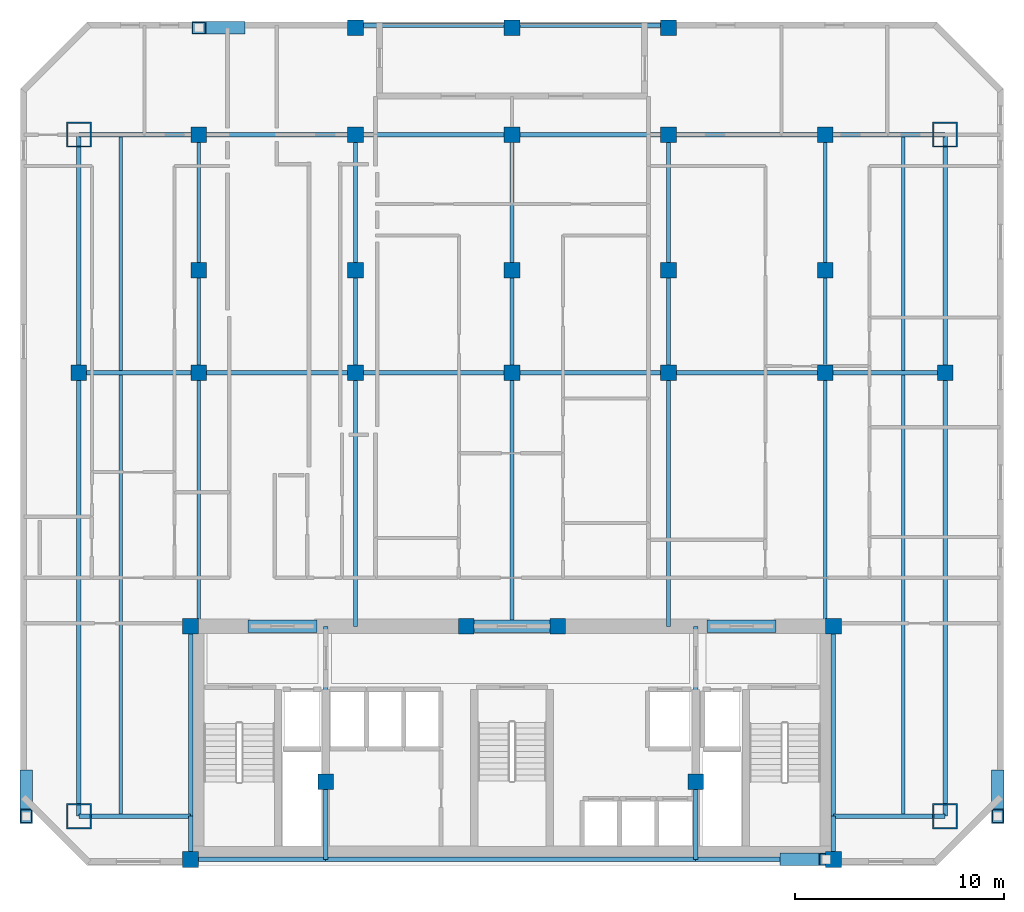
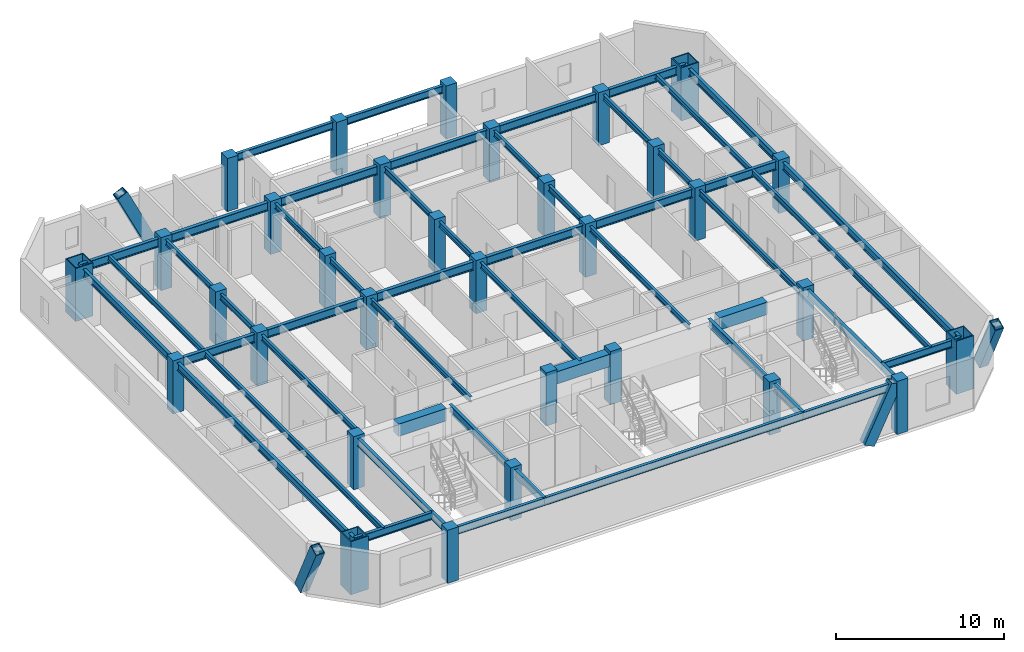
# One storey, part 1 of 8: 48 beams, 32 columns, 4 members.
"""IFC4 building model written with IfcOpenShell, lengths in metres."""

from ifc_helpers import new_model, si_unit, direction, frame, origin, origin_2d, place, context, subcontext, project, spatial, rectangle, hollow_rectangle, i_section, extrude, material, material_profile, profile_set, type_object, element, save


model = new_model("IFC4")

# Units and contexts
model_context = context("Model", 3, precision=1e-05, world=origin(), true_north=direction((0.0, 1.0)))
body_context = subcontext(model_context, "Body", "Model", "MODEL_VIEW")
ifc_project = project(units=[si_unit("LENGTHUNIT", "METRE"), si_unit("AREAUNIT", "SQUARE_METRE"), si_unit("VOLUMEUNIT", "CUBIC_METRE"), si_unit("PLANEANGLEUNIT", "RADIAN"), si_unit("MASSUNIT", "GRAM", prefix="KILO")], contexts=[model_context])

# Site, building, storey
site_placement = place(None, origin())
site = spatial("IfcSite", under=ifc_project, at=site_placement, CompositionType="ELEMENT")
building_placement = place(site_placement, origin())
building = spatial("IfcBuilding", under=site, at=building_placement, Name="Ventersveld Concourse Tower", CompositionType="ELEMENT")
storey_placement = place(building_placement, frame((0.0, 0.0, 183.699951171875)))
storey = spatial("IfcBuildingStorey", under=building, at=storey_placement, Name="L45", CompositionType="ELEMENT", Elevation=183.699951171875)

# Columns
ifc_material_1 = material(Name="Concrete C50/60", Category="concrete")
ifc_material_profile_1 = material_profile(ifc_material_1, rectangle(XDim=0.75, YDim=0.75, at=origin_2d()), Name="RC 750x750")
ifc_profile_set_1 = profile_set([ifc_material_profile_1], Name="Concrete C50/60")
column_type_1 = type_object("IfcColumnType", Name="COL-RC750", PredefinedType="COLUMN", material=ifc_profile_set_1)
for number, where, z_axis, x_axis, name in (
    (1, (13.35009765625, 0.280029296875, 0.0), (0.0, 0.0, 1.0), (1.0, 0.0, 0.0), "L45 Core Spine Column CC-SW"),
    (2, (44.14990234375, 0.280029296875, 0.0), (0.0, 0.0, 1.0), (1.0, 0.0, 0.0), "L45 Core Spine Column CC-SE"),
    (3, (13.35009765625, 11.449951171875, 0.0), (0.0, 0.0, 1.0), (1.0, 0.0, 0.0), "L45 Core Spine Column CC-NW"),
    (4, (44.14990234375, 11.449951171875, 0.0), (0.0, 0.0, 1.0), (1.0, 0.0, 0.0), "L45 Core Spine Column CC-NE"),
    (5, (19.820068359375, 4.0, 0.0), (0.0, 0.0, 1.0), (1.0, 0.0, 0.0), "L45 Core Spine Column CM-1"),
    (6, (37.550048828125, 4.0, 0.0), (0.0, 0.0, 1.0), (1.0, 0.0, 0.0), "L45 Core Spine Column CM-2"),
    (7, (26.550048828125, 11.449951171875, 0.0), (0.0, 0.0, 1.0), (1.0, 0.0, 0.0), "L45 Core Spine Column CM-3"),
    (8, (30.949951171875, 11.449951171875, 0.0), (0.0, 0.0, 1.0), (1.0, 0.0, 0.0), "L45 Core Spine Column CM-4"),
    (9, (8.0, 23.60009765625, 0.0), (0.0, 0.0, 1.0), (1.0, 0.0, 0.0), "L45 Interior Gravity Column X=8.00 Y=23.60"),
    (10, (13.75, 23.60009765625, 0.0), (0.0, 0.0, 1.0), (1.0, 0.0, 0.0), "L45 Interior Gravity Column X=13.75 Y=23.60"),
    (11, (21.25, 23.60009765625, 0.0), (0.0, 0.0, 1.0), (1.0, 0.0, 0.0), "L45 Interior Gravity Column X=21.25 Y=23.60"),
    (12, (28.75, 23.60009765625, 0.0), (0.0, 0.0, 1.0), (1.0, 0.0, 0.0), "L45 Interior Gravity Column X=28.75 Y=23.60"),
    (13, (36.25, 23.60009765625, 0.0), (0.0, 0.0, 1.0), (1.0, 0.0, 0.0), "L45 Interior Gravity Column X=36.25 Y=23.60"),
    (14, (43.75, 23.60009765625, 0.0), (0.0, 0.0, 1.0), (1.0, 0.0, 0.0), "L45 Interior Gravity Column X=43.75 Y=23.60"),
    (15, (49.5, 23.60009765625, 0.0), (0.0, 0.0, 1.0), (1.0, 0.0, 0.0), "L45 Interior Gravity Column X=49.50 Y=23.60"),
    (16, (13.75, 28.5, 0.0), (0.0, 0.0, 1.0), (1.0, 0.0, 0.0), "L45 Upper-North Gravity Column X=13.75 Y=28.50"),
    (17, (21.25, 28.5, 0.0), (0.0, 0.0, 1.0), (1.0, 0.0, 0.0), "L45 Upper-North Gravity Column X=21.25 Y=28.50"),
    (18, (28.75, 28.5, 0.0), (0.0, 0.0, 1.0), (1.0, 0.0, 0.0), "L45 Upper-North Gravity Column X=28.75 Y=28.50"),
    (19, (36.25, 28.5, 0.0), (0.0, 0.0, 1.0), (1.0, 0.0, 0.0), "L45 Upper-North Gravity Column X=36.25 Y=28.50"),
    (20, (43.75, 28.5, 0.0), (0.0, 0.0, 1.0), (1.0, 0.0, 0.0), "L45 Upper-North Gravity Column X=43.75 Y=28.50"),
    (21, (21.25, 40.1201171875, 0.0), (0.0, 0.0, 1.0), (1.0, 0.0, 0.0), "L45 North Brace Node Column X=21.25 Y=40.12"),
    (22, (28.75, 40.1201171875, 0.0), (0.0, 0.0, 1.0), (1.0, 0.0, 0.0), "L45 North Brace Node Column X=28.75 Y=40.12"),
    (23, (36.25, 40.1201171875, 0.0), (0.0, 0.0, 1.0), (1.0, 0.0, 0.0), "L45 North Brace Node Column X=36.25 Y=40.12"),
    (24, (13.75, 35.0, 0.0), (0.0, 0.0, 1.0), (1.0, 0.0, 0.0), "L45 Mid-North Column X=13.75 Y=35.00"),
    (25, (21.25, 35.0, 0.0), (0.0, 0.0, 1.0), (1.0, 0.0, 0.0), "L45 Mid-North Column X=21.25 Y=35.00"),
    (26, (28.75, 35.0, 0.0), (0.0, 0.0, 1.0), (1.0, 0.0, 0.0), "L45 Mid-North Column X=28.75 Y=35.00"),
    (27, (36.25, 35.0, 0.0), (0.0, 0.0, 1.0), (1.0, 0.0, 0.0), "L45 Mid-North Column X=36.25 Y=35.00"),
    (28, (43.75, 35.0, 0.0), (0.0, 0.0, 1.0), (1.0, 0.0, 0.0), "L45 Mid-North Column X=43.75 Y=35.00"),
):
    element("IfcColumn", number, at=place(storey_placement, frame(where, z_axis=z_axis, x_axis=x_axis)), inside=storey, type_object=column_type_1, Name=name, PredefinedType="COLUMN", context=body_context, shape_type="SweptSolid", body=[
        extrude(rectangle(XDim=0.75, YDim=0.75, at=origin_2d()), origin(), (0.0, 0.0, 1.0), 3.85009765625),
    ])
ifc_material_2 = material(Name="Structural steel S460ML", Category="steel")
ifc_material_profile_2 = material_profile(ifc_material_2, hollow_rectangle(XDim=1.199951171875, YDim=1.199951171875, WallThickness=0.070068359375, at=origin_2d()), Name="BOX 1200x1200x70")
ifc_profile_set_2 = profile_set([ifc_material_profile_2], Name="Structural steel S460ML")
column_type_2 = type_object("IfcColumnType", Name="MC-1200", PredefinedType="USERDEFINED", material=ifc_profile_set_2)
for number, where, z_axis, x_axis, name in (
    (29, (8.0, 2.35009765625, 0.0), (0.0, 0.0, 1.0), (1.0, 0.0, 0.0), "L45 Corner Mega-Column MC-SW"),
    (30, (49.5, 2.35009765625, 0.0), (0.0, 0.0, 1.0), (1.0, 0.0, 0.0), "L45 Corner Mega-Column MC-SE"),
    (31, (49.5, 35.0, 0.0), (0.0, 0.0, 1.0), (1.0, 0.0, 0.0), "L45 Corner Mega-Column MC-NE"),
    (32, (8.0, 35.0, 0.0), (0.0, 0.0, 1.0), (1.0, 0.0, 0.0), "L45 Corner Mega-Column MC-NW"),
):
    element("IfcColumn", number, at=place(storey_placement, frame(where, z_axis=z_axis, x_axis=x_axis)), inside=storey, type_object=column_type_2, Name=name, ObjectType="MEGA_COLUMN", PredefinedType="USERDEFINED", context=body_context, shape_type="SweptSolid", body=[
        extrude(hollow_rectangle(XDim=1.199951171875, YDim=1.199951171875, WallThickness=0.070068359375, at=origin_2d()), origin(), (0.0, 0.0, 1.0), 3.85009765625),
    ])

# Beams
ifc_material_3 = material(Name="Structural steel S355J2", Category="steel")
ifc_material_profile_3 = material_profile(ifc_material_3, i_section(OverallWidth=0.177978515625, OverallDepth=0.406494140625, WebThickness=0.0078125, FlangeThickness=0.0126953125, FilletRadius=0.01025390625, at=origin_2d()), Name="UB 406x178x60")
ifc_profile_set_3 = profile_set([ifc_material_profile_3], Name="Structural steel S355J2")
beam_type_1 = type_object("IfcBeamType", Name="BM-UB406", PredefinedType="BEAM", material=ifc_profile_set_3)
beam_1_placement = place(storey_placement, frame((10.0, 2.35009765625, 3.4267578125), z_axis=(0.0, 1.0, 0.0), x_axis=(-1.0, 0.0, 0.0)))
element("IfcBeam", 33, at=beam_1_placement, inside=storey, type_object=beam_type_1, Name="L45 N-S Composite Floor Beam South X=10.00", PredefinedType="BEAM", context=body_context, shape_type="SweptSolid", body=[
    extrude(i_section(OverallWidth=0.177978515625, OverallDepth=0.406494140625, WebThickness=0.0078125, FlangeThickness=0.0126953125, FilletRadius=0.01025390625, at=origin_2d()), origin(), (0.0, 0.0, 1.0), 21.15478515625),
])
beam_2_placement = place(storey_placement, frame((10.0, 23.695068359375, 3.4267578125), z_axis=(0.0, 1.0, 0.0), x_axis=(-1.0, 0.0, 0.0)))
element("IfcBeam", 34, at=beam_2_placement, inside=storey, type_object=beam_type_1, Name="L45 N-S Composite Floor Beam Mid X=10.00", PredefinedType="BEAM", context=body_context, shape_type="SweptSolid", body=[
    extrude(i_section(OverallWidth=0.177978515625, OverallDepth=0.406494140625, WebThickness=0.0078125, FlangeThickness=0.0126953125, FilletRadius=0.01025390625, at=origin_2d()), origin(), (0.0, 0.0, 1.0), 11.304931640625),
])
beam_3_placement = place(storey_placement, frame((13.75, 11.449951171875, 3.4267578125), z_axis=(0.0, 1.0, 0.0), x_axis=(-1.0, 0.0, 0.0)))
element("IfcBeam", 35, at=beam_3_placement, inside=storey, type_object=beam_type_1, Name="L45 N-S Composite Floor Beam South X=13.75", PredefinedType="BEAM", context=body_context, shape_type="SweptSolid", body=[
    extrude(i_section(OverallWidth=0.177978515625, OverallDepth=0.406494140625, WebThickness=0.0078125, FlangeThickness=0.0126953125, FilletRadius=0.01025390625, at=origin_2d()), origin(), (0.0, 0.0, 1.0), 12.150146484375),
])
beam_4_placement = place(storey_placement, frame((13.75, 23.60009765625, 3.4267578125), z_axis=(0.0, 1.0, 0.0), x_axis=(-1.0, 0.0, 0.0)))
element("IfcBeam", 36, at=beam_4_placement, inside=storey, type_object=beam_type_1, Name="L45 N-S Composite Floor Beam Mid X=13.75", PredefinedType="BEAM", context=body_context, shape_type="SweptSolid", body=[
    extrude(i_section(OverallWidth=0.177978515625, OverallDepth=0.406494140625, WebThickness=0.0078125, FlangeThickness=0.0126953125, FilletRadius=0.01025390625, at=origin_2d()), origin(), (0.0, 0.0, 1.0), 11.39990234375),
])
beam_5_placement = place(storey_placement, frame((21.25, 11.449951171875, 3.4267578125), z_axis=(0.0, 1.0, 0.0), x_axis=(-1.0, 0.0, 0.0)))
element("IfcBeam", 37, at=beam_5_placement, inside=storey, type_object=beam_type_1, Name="L45 N-S Composite Floor Beam South X=21.25", PredefinedType="BEAM", context=body_context, shape_type="SweptSolid", body=[
    extrude(i_section(OverallWidth=0.177978515625, OverallDepth=0.406494140625, WebThickness=0.0078125, FlangeThickness=0.0126953125, FilletRadius=0.01025390625, at=origin_2d()), origin(), (0.0, 0.0, 1.0), 12.150146484375),
])
beam_6_placement = place(storey_placement, frame((21.25, 23.60009765625, 3.4267578125), z_axis=(0.0, 1.0, 0.0), x_axis=(-1.0, 0.0, 0.0)))
element("IfcBeam", 38, at=beam_6_placement, inside=storey, type_object=beam_type_1, Name="L45 N-S Composite Floor Beam Mid X=21.25", PredefinedType="BEAM", context=body_context, shape_type="SweptSolid", body=[
    extrude(i_section(OverallWidth=0.177978515625, OverallDepth=0.406494140625, WebThickness=0.0078125, FlangeThickness=0.0126953125, FilletRadius=0.01025390625, at=origin_2d()), origin(), (0.0, 0.0, 1.0), 11.39990234375),
])
beam_7_placement = place(storey_placement, frame((28.75, 11.449951171875, 3.4267578125), z_axis=(0.0, 1.0, 0.0), x_axis=(-1.0, 0.0, 0.0)))
element("IfcBeam", 39, at=beam_7_placement, inside=storey, type_object=beam_type_1, Name="L45 N-S Composite Floor Beam South X=28.75", PredefinedType="BEAM", context=body_context, shape_type="SweptSolid", body=[
    extrude(i_section(OverallWidth=0.177978515625, OverallDepth=0.406494140625, WebThickness=0.0078125, FlangeThickness=0.0126953125, FilletRadius=0.01025390625, at=origin_2d()), origin(), (0.0, 0.0, 1.0), 12.150146484375),
])
beam_8_placement = place(storey_placement, frame((28.75, 23.60009765625, 3.4267578125), z_axis=(0.0, 1.0, 0.0), x_axis=(-1.0, 0.0, 0.0)))
element("IfcBeam", 40, at=beam_8_placement, inside=storey, type_object=beam_type_1, Name="L45 N-S Composite Floor Beam Mid X=28.75", PredefinedType="BEAM", context=body_context, shape_type="SweptSolid", body=[
    extrude(i_section(OverallWidth=0.177978515625, OverallDepth=0.406494140625, WebThickness=0.0078125, FlangeThickness=0.0126953125, FilletRadius=0.01025390625, at=origin_2d()), origin(), (0.0, 0.0, 1.0), 11.39990234375),
])
beam_9_placement = place(storey_placement, frame((36.25, 11.449951171875, 3.4267578125), z_axis=(0.0, 1.0, 0.0), x_axis=(-1.0, 0.0, 0.0)))
element("IfcBeam", 41, at=beam_9_placement, inside=storey, type_object=beam_type_1, Name="L45 N-S Composite Floor Beam South X=36.25", PredefinedType="BEAM", context=body_context, shape_type="SweptSolid", body=[
    extrude(i_section(OverallWidth=0.177978515625, OverallDepth=0.406494140625, WebThickness=0.0078125, FlangeThickness=0.0126953125, FilletRadius=0.01025390625, at=origin_2d()), origin(), (0.0, 0.0, 1.0), 12.150146484375),
])
beam_10_placement = place(storey_placement, frame((36.25, 23.60009765625, 3.4267578125), z_axis=(0.0, 1.0, 0.0), x_axis=(-1.0, 0.0, 0.0)))
element("IfcBeam", 42, at=beam_10_placement, inside=storey, type_object=beam_type_1, Name="L45 N-S Composite Floor Beam Mid X=36.25", PredefinedType="BEAM", context=body_context, shape_type="SweptSolid", body=[
    extrude(i_section(OverallWidth=0.177978515625, OverallDepth=0.406494140625, WebThickness=0.0078125, FlangeThickness=0.0126953125, FilletRadius=0.01025390625, at=origin_2d()), origin(), (0.0, 0.0, 1.0), 11.39990234375),
])
beam_11_placement = place(storey_placement, frame((43.75, 11.449951171875, 3.4267578125), z_axis=(0.0, 1.0, 0.0), x_axis=(-1.0, 0.0, 0.0)))
element("IfcBeam", 43, at=beam_11_placement, inside=storey, type_object=beam_type_1, Name="L45 N-S Composite Floor Beam South X=43.75", PredefinedType="BEAM", context=body_context, shape_type="SweptSolid", body=[
    extrude(i_section(OverallWidth=0.177978515625, OverallDepth=0.406494140625, WebThickness=0.0078125, FlangeThickness=0.0126953125, FilletRadius=0.01025390625, at=origin_2d()), origin(), (0.0, 0.0, 1.0), 12.150146484375),
])
beam_12_placement = place(storey_placement, frame((43.75, 23.60009765625, 3.4267578125), z_axis=(0.0, 1.0, 0.0), x_axis=(-1.0, 0.0, 0.0)))
element("IfcBeam", 44, at=beam_12_placement, inside=storey, type_object=beam_type_1, Name="L45 N-S Composite Floor Beam Mid X=43.75", PredefinedType="BEAM", context=body_context, shape_type="SweptSolid", body=[
    extrude(i_section(OverallWidth=0.177978515625, OverallDepth=0.406494140625, WebThickness=0.0078125, FlangeThickness=0.0126953125, FilletRadius=0.01025390625, at=origin_2d()), origin(), (0.0, 0.0, 1.0), 11.39990234375),
])
beam_13_placement = place(storey_placement, frame((47.5, 2.35009765625, 3.4267578125), z_axis=(0.0, 1.0, 0.0), x_axis=(-1.0, 0.0, 0.0)))
element("IfcBeam", 45, at=beam_13_placement, inside=storey, type_object=beam_type_1, Name="L45 N-S Composite Floor Beam South X=47.50", PredefinedType="BEAM", context=body_context, shape_type="SweptSolid", body=[
    extrude(i_section(OverallWidth=0.177978515625, OverallDepth=0.406494140625, WebThickness=0.0078125, FlangeThickness=0.0126953125, FilletRadius=0.01025390625, at=origin_2d()), origin(), (0.0, 0.0, 1.0), 21.15478515625),
])
beam_14_placement = place(storey_placement, frame((47.5, 23.695068359375, 3.4267578125), z_axis=(0.0, 1.0, 0.0), x_axis=(-1.0, 0.0, 0.0)))
element("IfcBeam", 46, at=beam_14_placement, inside=storey, type_object=beam_type_1, Name="L45 N-S Composite Floor Beam Mid X=47.50", PredefinedType="BEAM", context=body_context, shape_type="SweptSolid", body=[
    extrude(i_section(OverallWidth=0.177978515625, OverallDepth=0.406494140625, WebThickness=0.0078125, FlangeThickness=0.0126953125, FilletRadius=0.01025390625, at=origin_2d()), origin(), (0.0, 0.0, 1.0), 11.304931640625),
])
ifc_material_4 = material(Name="Concrete C60/75", Category="concrete")
ifc_material_profile_4 = material_profile(ifc_material_4, rectangle(XDim=0.60009765625, YDim=0.89990234375, at=origin_2d()), Name="RC 600x900")
ifc_profile_set_4 = profile_set([ifc_material_profile_4], Name="Concrete C60/75")
beam_type_2 = type_object("IfcBeamType", Name="CB-RC600x900L", PredefinedType="LINTEL", material=ifc_profile_set_4)
beam_15_placement = place(storey_placement, frame((16.10009765625, 11.449951171875, 3.179931640625), z_axis=(1.0, 0.0, 0.0), x_axis=(0.0, 1.0, 0.0)))
element("IfcBeam", 47, at=beam_15_placement, inside=storey, type_object=beam_type_2, Name="L45 Core Coupling Lintel Beam 1", PredefinedType="LINTEL", context=body_context, shape_type="SweptSolid", body=[
    extrude(rectangle(XDim=0.60009765625, YDim=0.89990234375, at=origin_2d()), origin(), (0.0, 0.0, 1.0), 3.2998046875),
])
beam_16_placement = place(storey_placement, frame((26.5, 11.449951171875, 3.179931640625), z_axis=(1.0, 0.0, 0.0), x_axis=(0.0, 1.0, 0.0)))
element("IfcBeam", 48, at=beam_16_placement, inside=storey, type_object=beam_type_2, Name="L45 Core Coupling Lintel Beam 2", PredefinedType="LINTEL", context=body_context, shape_type="SweptSolid", body=[
    extrude(rectangle(XDim=0.60009765625, YDim=0.89990234375, at=origin_2d()), origin(), (0.0, 0.0, 1.0), 4.5),
])
beam_17_placement = place(storey_placement, frame((38.10009765625, 11.449951171875, 3.179931640625), z_axis=(1.0, 0.0, 0.0), x_axis=(0.0, 1.0, 0.0)))
element("IfcBeam", 49, at=beam_17_placement, inside=storey, type_object=beam_type_2, Name="L45 Core Coupling Lintel Beam 3", PredefinedType="LINTEL", context=body_context, shape_type="SweptSolid", body=[
    extrude(rectangle(XDim=0.60009765625, YDim=0.89990234375, at=origin_2d()), origin(), (0.0, 0.0, 1.0), 3.2998046875),
])
ifc_material_profile_5 = material_profile(ifc_material_3, i_section(OverallWidth=0.2119140625, OverallDepth=0.54443359375, WebThickness=0.0126953125, FlangeThickness=0.021240234375, FilletRadius=0.0126953125, at=origin_2d()), Name="UB 533x210x122")
ifc_profile_set_5 = profile_set([ifc_material_profile_5], Name="Structural steel S355J2")
beam_type_3 = type_object("IfcBeamType", Name="GRD-UB533H", PredefinedType="T_BEAM", material=ifc_profile_set_5)
beam_18_placement = place(storey_placement, frame((13.35009765625, 0.280029296875, 3.357666015625), z_axis=(0.0, 1.0, 0.0), x_axis=(-1.0, 0.0, 0.0)))
element("IfcBeam", 50, at=beam_18_placement, inside=storey, type_object=beam_type_3, Name="L45 Core West Tie Beam S", PredefinedType="T_BEAM", context=body_context, shape_type="SweptSolid", body=[
    extrude(i_section(OverallWidth=0.2119140625, OverallDepth=0.54443359375, WebThickness=0.0126953125, FlangeThickness=0.021240234375, FilletRadius=0.0126953125, at=origin_2d()), origin(), (0.0, 0.0, 1.0), 2.070068359375),
])
beam_19_placement = place(storey_placement, frame((13.35009765625, 2.35009765625, 3.357666015625), z_axis=(0.0, 1.0, 0.0), x_axis=(-1.0, 0.0, 0.0)))
element("IfcBeam", 51, at=beam_19_placement, inside=storey, type_object=beam_type_3, Name="L45 Core West Tie Beam N", PredefinedType="T_BEAM", context=body_context, shape_type="SweptSolid", body=[
    extrude(i_section(OverallWidth=0.2119140625, OverallDepth=0.54443359375, WebThickness=0.0126953125, FlangeThickness=0.021240234375, FilletRadius=0.0126953125, at=origin_2d()), origin(), (0.0, 0.0, 1.0), 9.099853515625),
])
beam_20_placement = place(storey_placement, frame((44.14990234375, 0.280029296875, 3.357666015625), z_axis=(0.0, 1.0, 0.0), x_axis=(-1.0, 0.0, 0.0)))
element("IfcBeam", 52, at=beam_20_placement, inside=storey, type_object=beam_type_3, Name="L45 Core East Tie Beam S", PredefinedType="T_BEAM", context=body_context, shape_type="SweptSolid", body=[
    extrude(i_section(OverallWidth=0.2119140625, OverallDepth=0.54443359375, WebThickness=0.0126953125, FlangeThickness=0.021240234375, FilletRadius=0.0126953125, at=origin_2d()), origin(), (0.0, 0.0, 1.0), 2.070068359375),
])
beam_21_placement = place(storey_placement, frame((44.14990234375, 2.35009765625, 3.357666015625), z_axis=(0.0, 1.0, 0.0), x_axis=(-1.0, 0.0, 0.0)))
element("IfcBeam", 53, at=beam_21_placement, inside=storey, type_object=beam_type_3, Name="L45 Core East Tie Beam N", PredefinedType="T_BEAM", context=body_context, shape_type="SweptSolid", body=[
    extrude(i_section(OverallWidth=0.2119140625, OverallDepth=0.54443359375, WebThickness=0.0126953125, FlangeThickness=0.021240234375, FilletRadius=0.0126953125, at=origin_2d()), origin(), (0.0, 0.0, 1.0), 9.099853515625),
])
beam_22_placement = place(storey_placement, frame((13.35009765625, 0.280029296875, 3.357666015625), z_axis=(1.0, 0.0, 0.0), x_axis=(0.0, 1.0, 0.0)))
element("IfcBeam", 54, at=beam_22_placement, inside=storey, type_object=beam_type_3, Name="L45 Core South Tie Beam W", PredefinedType="T_BEAM", context=body_context, shape_type="SweptSolid", body=[
    extrude(i_section(OverallWidth=0.2119140625, OverallDepth=0.54443359375, WebThickness=0.0126953125, FlangeThickness=0.021240234375, FilletRadius=0.0126953125, at=origin_2d()), origin(), (0.0, 0.0, 1.0), 6.469970703125),
])
beam_23_placement = place(storey_placement, frame((19.820068359375, 0.280029296875, 3.357666015625), z_axis=(1.0, 0.0, 0.0), x_axis=(0.0, 1.0, 0.0)))
element("IfcBeam", 55, at=beam_23_placement, inside=storey, type_object=beam_type_3, Name="L45 Core South Tie Beam C", PredefinedType="T_BEAM", context=body_context, shape_type="SweptSolid", body=[
    extrude(i_section(OverallWidth=0.2119140625, OverallDepth=0.54443359375, WebThickness=0.0126953125, FlangeThickness=0.021240234375, FilletRadius=0.0126953125, at=origin_2d()), origin(), (0.0, 0.0, 1.0), 17.72998046875),
])
beam_24_placement = place(storey_placement, frame((37.550048828125, 0.280029296875, 3.357666015625), z_axis=(1.0, 0.0, 0.0), x_axis=(0.0, 1.0, 0.0)))
element("IfcBeam", 56, at=beam_24_placement, inside=storey, type_object=beam_type_3, Name="L45 Core South Tie Beam E", PredefinedType="T_BEAM", context=body_context, shape_type="SweptSolid", body=[
    extrude(i_section(OverallWidth=0.2119140625, OverallDepth=0.54443359375, WebThickness=0.0126953125, FlangeThickness=0.021240234375, FilletRadius=0.0126953125, at=origin_2d()), origin(), (0.0, 0.0, 1.0), 6.599853515625),
])
beam_25_placement = place(storey_placement, frame((19.820068359375, 0.280029296875, 3.357666015625), z_axis=(0.0, 1.0, 0.0), x_axis=(-1.0, 0.0, 0.0)))
element("IfcBeam", 57, at=beam_25_placement, inside=storey, type_object=beam_type_3, Name="L45 Core Spine N-S Tie Beam W1", PredefinedType="T_BEAM", context=body_context, shape_type="SweptSolid", body=[
    extrude(i_section(OverallWidth=0.2119140625, OverallDepth=0.54443359375, WebThickness=0.0126953125, FlangeThickness=0.021240234375, FilletRadius=0.0126953125, at=origin_2d()), origin(), (0.0, 0.0, 1.0), 3.719970703125),
])
beam_26_placement = place(storey_placement, frame((19.820068359375, 4.0, 3.357666015625), z_axis=(0.0, 1.0, 0.0), x_axis=(-1.0, 0.0, 0.0)))
element("IfcBeam", 58, at=beam_26_placement, inside=storey, type_object=beam_type_3, Name="L45 Core Spine N-S Tie Beam W2", PredefinedType="T_BEAM", context=body_context, shape_type="SweptSolid", body=[
    extrude(i_section(OverallWidth=0.2119140625, OverallDepth=0.54443359375, WebThickness=0.0126953125, FlangeThickness=0.021240234375, FilletRadius=0.0126953125, at=origin_2d()), origin(), (0.0, 0.0, 1.0), 7.449951171875),
])
beam_27_placement = place(storey_placement, frame((37.550048828125, 0.280029296875, 3.357666015625), z_axis=(0.0, 1.0, 0.0), x_axis=(-1.0, 0.0, 0.0)))
element("IfcBeam", 59, at=beam_27_placement, inside=storey, type_object=beam_type_3, Name="L45 Core Spine N-S Tie Beam E1", PredefinedType="T_BEAM", context=body_context, shape_type="SweptSolid", body=[
    extrude(i_section(OverallWidth=0.2119140625, OverallDepth=0.54443359375, WebThickness=0.0126953125, FlangeThickness=0.021240234375, FilletRadius=0.0126953125, at=origin_2d()), origin(), (0.0, 0.0, 1.0), 3.719970703125),
])
beam_28_placement = place(storey_placement, frame((37.550048828125, 4.0, 3.357666015625), z_axis=(0.0, 1.0, 0.0), x_axis=(-1.0, 0.0, 0.0)))
element("IfcBeam", 60, at=beam_28_placement, inside=storey, type_object=beam_type_3, Name="L45 Core Spine N-S Tie Beam E2", PredefinedType="T_BEAM", context=body_context, shape_type="SweptSolid", body=[
    extrude(i_section(OverallWidth=0.2119140625, OverallDepth=0.54443359375, WebThickness=0.0126953125, FlangeThickness=0.021240234375, FilletRadius=0.0126953125, at=origin_2d()), origin(), (0.0, 0.0, 1.0), 7.449951171875),
])
ifc_material_profile_6 = material_profile(ifc_material_3, i_section(OverallWidth=0.230224609375, OverallDepth=0.6171875, WebThickness=0.01318359375, FlangeThickness=0.022216796875, FilletRadius=0.0126953125, at=origin_2d()), Name="UB 610x229x140")
ifc_profile_set_6 = profile_set([ifc_material_profile_6], Name="Structural steel S355J2")
beam_type_4 = type_object("IfcBeamType", Name="GRD-UB610", PredefinedType="USERDEFINED", material=ifc_profile_set_6)
beam_29_placement = place(storey_placement, frame((8.0, 23.60009765625, 3.321533203125), z_axis=(1.0, 0.0, 0.0), x_axis=(0.0, 1.0, 0.0)))
element("IfcBeam", 61, at=beam_29_placement, inside=storey, type_object=beam_type_4, Name="L45 Primary E-W Grid Girder Y=23.60 #1", ObjectType="GIRDER", PredefinedType="USERDEFINED", context=body_context, shape_type="SweptSolid", body=[
    extrude(i_section(OverallWidth=0.230224609375, OverallDepth=0.6171875, WebThickness=0.01318359375, FlangeThickness=0.022216796875, FilletRadius=0.0126953125, at=origin_2d()), origin(), (0.0, 0.0, 1.0), 5.75),
])
for number, where, z_axis, x_axis, name in (
    (62, (13.75, 23.60009765625, 3.321533203125), (1.0, 0.0, 0.0), (0.0, 1.0, 0.0), "L45 Primary E-W Grid Girder Y=23.60 #2"),
    (63, (21.25, 23.60009765625, 3.321533203125), (1.0, 0.0, 0.0), (0.0, 1.0, 0.0), "L45 Primary E-W Grid Girder Y=23.60 #3"),
    (64, (28.75, 23.60009765625, 3.321533203125), (1.0, 0.0, 0.0), (0.0, 1.0, 0.0), "L45 Primary E-W Grid Girder Y=23.60 #4"),
    (65, (36.25, 23.60009765625, 3.321533203125), (1.0, 0.0, 0.0), (0.0, 1.0, 0.0), "L45 Primary E-W Grid Girder Y=23.60 #5"),
):
    element("IfcBeam", number, at=place(storey_placement, frame(where, z_axis=z_axis, x_axis=x_axis)), inside=storey, type_object=beam_type_4, Name=name, ObjectType="GIRDER", PredefinedType="USERDEFINED", context=body_context, shape_type="SweptSolid", body=[
        extrude(i_section(OverallWidth=0.230224609375, OverallDepth=0.6171875, WebThickness=0.01318359375, FlangeThickness=0.022216796875, FilletRadius=0.0126953125, at=origin_2d()), origin(), (0.0, 0.0, 1.0), 7.5),
    ])
for number, where, z_axis, x_axis, name in (
    (66, (43.75, 23.60009765625, 3.321533203125), (1.0, 0.0, 0.0), (0.0, 1.0, 0.0), "L45 Primary E-W Grid Girder Y=23.60 #6"),
    (67, (8.0, 35.0, 3.321533203125), (1.0, 0.0, 0.0), (0.0, 1.0, 0.0), "L45 E-W Grid Girder Y=35.00 #1"),
):
    element("IfcBeam", number, at=place(storey_placement, frame(where, z_axis=z_axis, x_axis=x_axis)), inside=storey, type_object=beam_type_4, Name=name, ObjectType="GIRDER", PredefinedType="USERDEFINED", context=body_context, shape_type="SweptSolid", body=[
        extrude(i_section(OverallWidth=0.230224609375, OverallDepth=0.6171875, WebThickness=0.01318359375, FlangeThickness=0.022216796875, FilletRadius=0.0126953125, at=origin_2d()), origin(), (0.0, 0.0, 1.0), 5.75),
    ])
for number, where, z_axis, x_axis, name in (
    (68, (13.75, 35.0, 3.321533203125), (1.0, 0.0, 0.0), (0.0, 1.0, 0.0), "L45 E-W Grid Girder Y=35.00 #2"),
    (69, (21.25, 35.0, 3.321533203125), (1.0, 0.0, 0.0), (0.0, 1.0, 0.0), "L45 E-W Grid Girder Y=35.00 #3"),
    (70, (28.75, 35.0, 3.321533203125), (1.0, 0.0, 0.0), (0.0, 1.0, 0.0), "L45 E-W Grid Girder Y=35.00 #4"),
    (71, (36.25, 35.0, 3.321533203125), (1.0, 0.0, 0.0), (0.0, 1.0, 0.0), "L45 E-W Grid Girder Y=35.00 #5"),
):
    element("IfcBeam", number, at=place(storey_placement, frame(where, z_axis=z_axis, x_axis=x_axis)), inside=storey, type_object=beam_type_4, Name=name, ObjectType="GIRDER", PredefinedType="USERDEFINED", context=body_context, shape_type="SweptSolid", body=[
        extrude(i_section(OverallWidth=0.230224609375, OverallDepth=0.6171875, WebThickness=0.01318359375, FlangeThickness=0.022216796875, FilletRadius=0.0126953125, at=origin_2d()), origin(), (0.0, 0.0, 1.0), 7.5),
    ])
beam_30_placement = place(storey_placement, frame((43.75, 35.0, 3.321533203125), z_axis=(1.0, 0.0, 0.0), x_axis=(0.0, 1.0, 0.0)))
element("IfcBeam", 72, at=beam_30_placement, inside=storey, type_object=beam_type_4, Name="L45 E-W Grid Girder Y=35.00 #6", ObjectType="GIRDER", PredefinedType="USERDEFINED", context=body_context, shape_type="SweptSolid", body=[
    extrude(i_section(OverallWidth=0.230224609375, OverallDepth=0.6171875, WebThickness=0.01318359375, FlangeThickness=0.022216796875, FilletRadius=0.0126953125, at=origin_2d()), origin(), (0.0, 0.0, 1.0), 5.75),
])

# Members
ifc_material_5 = material(Name="Structural steel S355ML", Category="steel")
ifc_material_profile_7 = material_profile(ifc_material_5, hollow_rectangle(XDim=0.60009765625, YDim=0.75, WallThickness=0.0400390625, at=origin_2d()), Name="BOX 750x600x40")
ifc_profile_set_7 = profile_set([ifc_material_profile_7], Name="Structural steel S355ML")
member_type = type_object("IfcMemberType", Name="MB-750x600", PredefinedType="BRACE", material=ifc_profile_set_7)
for number, where, z_axis, x_axis, name in (
    (73, (15.625, 40.1201171875, -0.219970703125), (-0.437839464193, 0.0, 0.899053170616), (0.0, -1.0, 0.0), "L45 Exterior Mega-Brace N (Module M10)"),
    (74, (41.925048828125, 0.280029296875, -0.219970703125), (0.437839464193, 0.0, 0.899053170616), (0.0, 1.0, 0.0), "L45 Exterior Mega-Brace S (Module M10)"),
    (75, (5.47998046875, 4.22509765625, -0.219970703125), (0.0, -0.437839464193, 0.899053170616), (1.0, 0.0, 0.0), "L45 Exterior Mega-Brace W (Module M10)"),
    (76, (52.02001953125, 4.22509765625, -0.219970703125), (0.0, -0.437839464193, 0.899053170616), (1.0, 0.0, 0.0), "L45 Exterior Mega-Brace E (Module M10)"),
):
    element("IfcMember", number, at=place(storey_placement, frame(where, z_axis=z_axis, x_axis=x_axis)), inside=storey, type_object=member_type, Name=name, PredefinedType="BRACE", context=body_context, shape_type="SweptSolid", body=[
        extrude(hollow_rectangle(XDim=0.60009765625, YDim=0.75, WallThickness=0.0400390625, at=origin_2d()), origin(), (0.0, 0.0, 1.0), 4.282470703125),
    ])

# Beams
ifc_material_profile_8 = material_profile(ifc_material_3, i_section(OverallWidth=0.2119140625, OverallDepth=0.54443359375, WebThickness=0.0126953125, FlangeThickness=0.021240234375, FilletRadius=0.0126953125, at=origin_2d()), Name="UB 533x210x122")
ifc_profile_set_8 = profile_set([ifc_material_profile_8], Name="Structural steel S355J2")
beam_type_5 = type_object("IfcBeamType", Name="SPD-UB533", PredefinedType="SPANDREL", material=ifc_profile_set_8)
for number, where, z_axis, x_axis, name in (
    (77, (8.0, 2.35009765625, 3.357666015625), (1.0, 0.0, 0.0), (0.0, 1.0, 0.0), "L45 SW Spandrel Beam"),
    (78, (44.14990234375, 2.35009765625, 3.357666015625), (1.0, 0.0, 0.0), (0.0, 1.0, 0.0), "L45 SE Spandrel Beam"),
):
    element("IfcBeam", number, at=place(storey_placement, frame(where, z_axis=z_axis, x_axis=x_axis)), inside=storey, type_object=beam_type_5, Name=name, PredefinedType="SPANDREL", context=body_context, shape_type="SweptSolid", body=[
        extrude(i_section(OverallWidth=0.2119140625, OverallDepth=0.54443359375, WebThickness=0.0126953125, FlangeThickness=0.021240234375, FilletRadius=0.0126953125, at=origin_2d()), origin(), (0.0, 0.0, 1.0), 5.35009765625),
    ])
beam_31_placement = place(storey_placement, frame((8.0, 2.35009765625, 3.357666015625), z_axis=(0.0, 1.0, 0.0), x_axis=(-1.0, 0.0, 0.0)))
element("IfcBeam", 79, at=beam_31_placement, inside=storey, type_object=beam_type_5, Name="L45 West Spandrel Beam S", PredefinedType="SPANDREL", context=body_context, shape_type="SweptSolid", body=[
    extrude(i_section(OverallWidth=0.2119140625, OverallDepth=0.54443359375, WebThickness=0.0126953125, FlangeThickness=0.021240234375, FilletRadius=0.0126953125, at=origin_2d()), origin(), (0.0, 0.0, 1.0), 21.25),
])
beam_32_placement = place(storey_placement, frame((8.0, 23.60009765625, 3.357666015625), z_axis=(0.0, 1.0, 0.0), x_axis=(-1.0, 0.0, 0.0)))
element("IfcBeam", 80, at=beam_32_placement, inside=storey, type_object=beam_type_5, Name="L45 West Spandrel Beam N", PredefinedType="SPANDREL", context=body_context, shape_type="SweptSolid", body=[
    extrude(i_section(OverallWidth=0.2119140625, OverallDepth=0.54443359375, WebThickness=0.0126953125, FlangeThickness=0.021240234375, FilletRadius=0.0126953125, at=origin_2d()), origin(), (0.0, 0.0, 1.0), 11.39990234375),
])
beam_33_placement = place(storey_placement, frame((49.5, 2.35009765625, 3.357666015625), z_axis=(0.0, 1.0, 0.0), x_axis=(-1.0, 0.0, 0.0)))
element("IfcBeam", 81, at=beam_33_placement, inside=storey, type_object=beam_type_5, Name="L45 East Spandrel Beam S", PredefinedType="SPANDREL", context=body_context, shape_type="SweptSolid", body=[
    extrude(i_section(OverallWidth=0.2119140625, OverallDepth=0.54443359375, WebThickness=0.0126953125, FlangeThickness=0.021240234375, FilletRadius=0.0126953125, at=origin_2d()), origin(), (0.0, 0.0, 1.0), 21.25),
])
beam_34_placement = place(storey_placement, frame((49.5, 23.60009765625, 3.357666015625), z_axis=(0.0, 1.0, 0.0), x_axis=(-1.0, 0.0, 0.0)))
element("IfcBeam", 82, at=beam_34_placement, inside=storey, type_object=beam_type_5, Name="L45 East Spandrel Beam N", PredefinedType="SPANDREL", context=body_context, shape_type="SweptSolid", body=[
    extrude(i_section(OverallWidth=0.2119140625, OverallDepth=0.54443359375, WebThickness=0.0126953125, FlangeThickness=0.021240234375, FilletRadius=0.0126953125, at=origin_2d()), origin(), (0.0, 0.0, 1.0), 11.39990234375),
])
for number, where, z_axis, x_axis, name in (
    (83, (21.25, 40.25, 3.357666015625), (1.0, 0.0, 0.0), (0.0, 1.0, 0.0), "L45 Terrace Edge Spandrel W"),
    (84, (28.75, 40.25, 3.357666015625), (1.0, 0.0, 0.0), (0.0, 1.0, 0.0), "L45 Terrace Edge Spandrel E"),
):
    element("IfcBeam", number, at=place(storey_placement, frame(where, z_axis=z_axis, x_axis=x_axis)), inside=storey, type_object=beam_type_5, Name=name, PredefinedType="SPANDREL", context=body_context, shape_type="SweptSolid", body=[
        extrude(i_section(OverallWidth=0.2119140625, OverallDepth=0.54443359375, WebThickness=0.0126953125, FlangeThickness=0.021240234375, FilletRadius=0.0126953125, at=origin_2d()), origin(), (0.0, 0.0, 1.0), 7.5),
    ])

save(model, "model.ifc")
